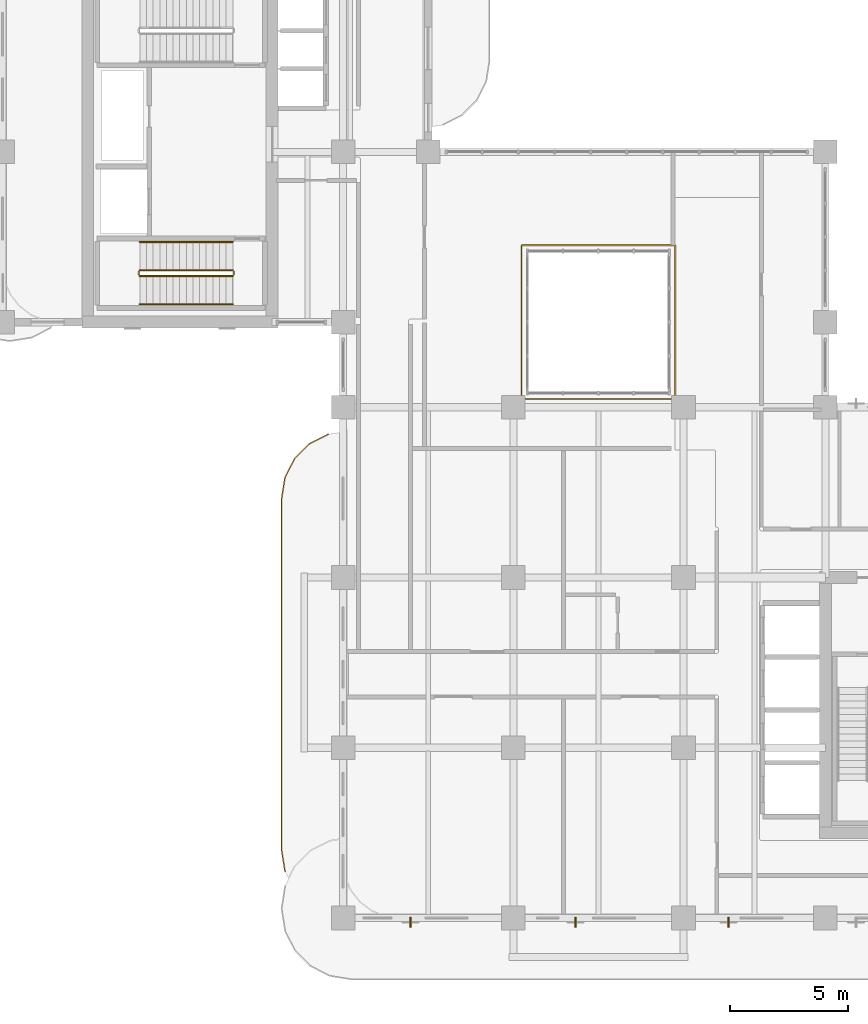
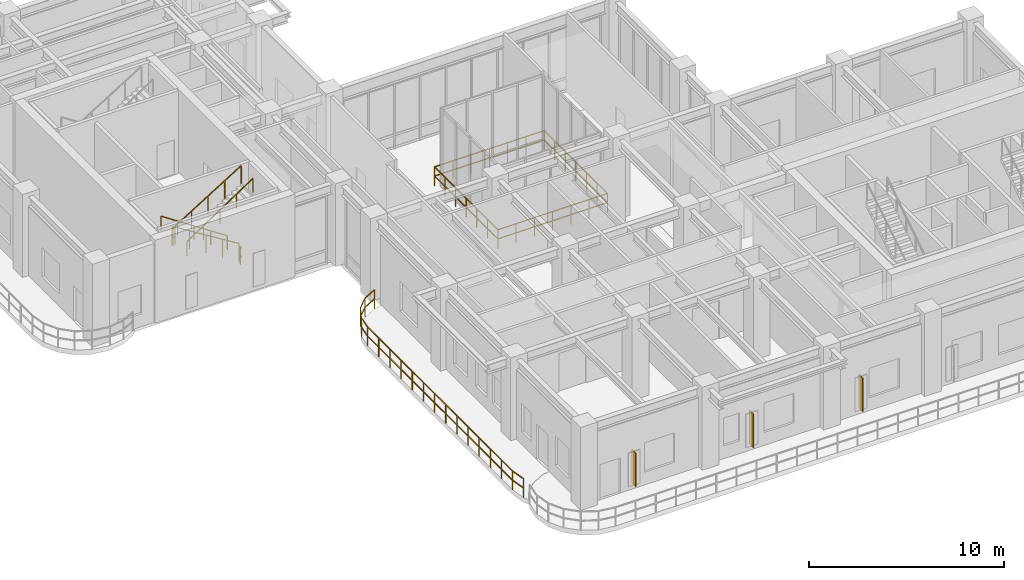
# One storey, part 17 of 21: 8 railings, 3 shading devices.
"""IFC4 building model written with IfcOpenShell, lengths in metres."""

from ifc_helpers import new_model, si_unit, derived_unit, direction, frame, origin, origin_2d, place, context, subcontext, project, spatial, rectangle, extrude, source, transform, mapped, material, layer, layer_set, type_object, type_shapes, element, save


model = new_model("IFC4")

# Units and contexts
model_context = context("Model", 3, precision=1e-05, world=origin(), true_north=direction((0.0, 1.0)))
body_context = subcontext(model_context, "Body", "Model", "MODEL_VIEW")
ifc_project = project(units=[si_unit("LENGTHUNIT", "METRE"), si_unit("AREAUNIT", "SQUARE_METRE"), si_unit("VOLUMEUNIT", "CUBIC_METRE"), si_unit("PLANEANGLEUNIT", "RADIAN"), si_unit("MASSUNIT", "GRAM", prefix="KILO"), si_unit("THERMODYNAMICTEMPERATUREUNIT", "KELVIN"), si_unit("POWERUNIT", "WATT"), derived_unit("THERMALTRANSMITTANCEUNIT", [(si_unit("POWERUNIT", "WATT"), 1), (si_unit("AREAUNIT", "SQUARE_METRE"), -1), (si_unit("THERMODYNAMICTEMPERATUREUNIT", "KELVIN"), -1)])], contexts=[model_context])

# Site, building, storey
site_placement = place(None, origin())
site = spatial("IfcSite", under=ifc_project, at=site_placement, CompositionType="ELEMENT")
building_placement = place(site_placement, origin())
building = spatial("IfcBuilding", under=site, at=building_placement, Name="Zahravan Archway Hotel and Residences", CompositionType="ELEMENT")
storey_placement = place(building_placement, frame((0.0, 0.0, 145.10009765625)))
storey = spatial("IfcBuildingStorey", under=building, at=storey_placement, Name="L36", CompositionType="ELEMENT", Elevation=145.10009765625)

# Railings
ifc_material_1 = material(Name="Atrium Laminated Glass Guardrail", Category="glass")
railing_type_1 = type_object("IfcRailingType", Name="RL-ATR-1200", PredefinedType="BALUSTRADE", material=ifc_material_1)
railing_1_placement = place(storey_placement, frame((21.949951171875, 21.949951171875, 0.0)))
element("IfcRailing", 1, at=railing_1_placement, inside=storey, type_object=railing_type_1, Name="L36 Balustrade RL-ATR-L36", PredefinedType="BALUSTRADE", context=body_context, shape_type="SweptSolid", body=[
    extrude(rectangle(XDim=0.048095703125, YDim=0.048095703125, at=origin_2d()), frame((0.0, 0.0, 1.17578125), z_axis=(1.0, 0.0, 0.0), x_axis=(0.0, 1.0, 0.0)), (0.0, 0.0, 1.0), 6.5),
    extrude(rectangle(XDim=0.048095703125, YDim=0.048095703125, at=origin_2d()), frame((0.0, 0.0, 0.60009765625), z_axis=(1.0, 0.0, 0.0), x_axis=(0.0, 1.0, 0.0)), (0.0, 0.0, 1.0), 6.5),
    extrude(rectangle(XDim=0.048095703125, YDim=0.048095703125, at=origin_2d()), frame((6.5, 0.0, 1.17578125), z_axis=(0.0, 1.0, 0.0), x_axis=(-1.0, 0.0, 0.0)), (0.0, 0.0, 1.0), 6.5),
    extrude(rectangle(XDim=0.048095703125, YDim=0.048095703125, at=origin_2d()), frame((6.5, 0.0, 0.60009765625), z_axis=(0.0, 1.0, 0.0), x_axis=(-1.0, 0.0, 0.0)), (0.0, 0.0, 1.0), 6.5),
    extrude(rectangle(XDim=0.048095703125, YDim=0.048095703125, at=origin_2d()), frame((6.5, 6.5, 1.17578125), z_axis=(-1.0, 0.0, 0.0), x_axis=(0.0, -1.0, 0.0)), (0.0, 0.0, 1.0), 6.5),
    extrude(rectangle(XDim=0.048095703125, YDim=0.048095703125, at=origin_2d()), frame((6.5, 6.5, 0.60009765625), z_axis=(-1.0, 0.0, 0.0), x_axis=(0.0, -1.0, 0.0)), (0.0, 0.0, 1.0), 6.5),
    extrude(rectangle(XDim=0.048095703125, YDim=0.048095703125, at=origin_2d()), frame((0.0, 6.5, 1.17578125), z_axis=(0.0, -1.0, 0.0), x_axis=(1.0, 0.0, 0.0)), (0.0, 0.0, 1.0), 6.5),
    extrude(rectangle(XDim=0.048095703125, YDim=0.048095703125, at=origin_2d()), frame((0.0, 6.5, 0.60009765625), z_axis=(0.0, -1.0, 0.0), x_axis=(1.0, 0.0, 0.0)), (0.0, 0.0, 1.0), 6.5),
    extrude(rectangle(XDim=0.0419921875, YDim=0.0419921875, at=origin_2d()), origin(), (0.0, 0.0, 1.0), 1.15185546875),
    extrude(rectangle(XDim=0.0419921875, YDim=0.0419921875, at=origin_2d()), frame((1.083251953125, 0.0, 0.0)), (0.0, 0.0, 1.0), 1.15185546875),
    extrude(rectangle(XDim=0.0419921875, YDim=0.0419921875, at=origin_2d()), frame((2.166748046875, 0.0, 0.0)), (0.0, 0.0, 1.0), 1.15185546875),
    extrude(rectangle(XDim=0.0419921875, YDim=0.0419921875, at=origin_2d()), frame((3.25, 0.0, 0.0)), (0.0, 0.0, 1.0), 1.15185546875),
    extrude(rectangle(XDim=0.0419921875, YDim=0.0419921875, at=origin_2d()), frame((4.333251953125, 0.0, 0.0)), (0.0, 0.0, 1.0), 1.15185546875),
    extrude(rectangle(XDim=0.0419921875, YDim=0.0419921875, at=origin_2d()), frame((5.416748046875, 0.0, 0.0)), (0.0, 0.0, 1.0), 1.15185546875),
    extrude(rectangle(XDim=0.0419921875, YDim=0.0419921875, at=origin_2d()), frame((6.5, 0.0, 0.0)), (0.0, 0.0, 1.0), 1.15185546875),
    extrude(rectangle(XDim=0.0419921875, YDim=0.0419921875, at=origin_2d()), frame((6.5, 1.083251953125, 0.0)), (0.0, 0.0, 1.0), 1.15185546875),
    extrude(rectangle(XDim=0.0419921875, YDim=0.0419921875, at=origin_2d()), frame((6.5, 2.166748046875, 0.0)), (0.0, 0.0, 1.0), 1.15185546875),
    extrude(rectangle(XDim=0.0419921875, YDim=0.0419921875, at=origin_2d()), frame((6.5, 3.25, 0.0)), (0.0, 0.0, 1.0), 1.15185546875),
    extrude(rectangle(XDim=0.0419921875, YDim=0.0419921875, at=origin_2d()), frame((6.5, 4.333251953125, 0.0)), (0.0, 0.0, 1.0), 1.15185546875),
    extrude(rectangle(XDim=0.0419921875, YDim=0.0419921875, at=origin_2d()), frame((6.5, 5.416748046875, 0.0)), (0.0, 0.0, 1.0), 1.15185546875),
    extrude(rectangle(XDim=0.0419921875, YDim=0.0419921875, at=origin_2d()), frame((6.5, 6.5, 0.0)), (0.0, 0.0, 1.0), 1.15185546875),
    extrude(rectangle(XDim=0.0419921875, YDim=0.0419921875, at=origin_2d()), frame((5.416748046875, 6.5, 0.0)), (0.0, 0.0, 1.0), 1.15185546875),
    extrude(rectangle(XDim=0.0419921875, YDim=0.0419921875, at=origin_2d()), frame((4.333251953125, 6.5, 0.0)), (0.0, 0.0, 1.0), 1.15185546875),
    extrude(rectangle(XDim=0.0419921875, YDim=0.0419921875, at=origin_2d()), frame((3.25, 6.5, 0.0)), (0.0, 0.0, 1.0), 1.15185546875),
    extrude(rectangle(XDim=0.0419921875, YDim=0.0419921875, at=origin_2d()), frame((2.166748046875, 6.5, 0.0)), (0.0, 0.0, 1.0), 1.15185546875),
    extrude(rectangle(XDim=0.0419921875, YDim=0.0419921875, at=origin_2d()), frame((1.083251953125, 6.5, 0.0)), (0.0, 0.0, 1.0), 1.15185546875),
    extrude(rectangle(XDim=0.0419921875, YDim=0.0419921875, at=origin_2d()), frame((0.0, 6.5, 0.0)), (0.0, 0.0, 1.0), 1.15185546875),
    extrude(rectangle(XDim=0.0419921875, YDim=0.0419921875, at=origin_2d()), frame((0.0, 5.416748046875, 0.0)), (0.0, 0.0, 1.0), 1.15185546875),
    extrude(rectangle(XDim=0.0419921875, YDim=0.0419921875, at=origin_2d()), frame((0.0, 4.333251953125, 0.0)), (0.0, 0.0, 1.0), 1.15185546875),
    extrude(rectangle(XDim=0.0419921875, YDim=0.0419921875, at=origin_2d()), frame((0.0, 3.25, 0.0)), (0.0, 0.0, 1.0), 1.15185546875),
    extrude(rectangle(XDim=0.0419921875, YDim=0.0419921875, at=origin_2d()), frame((0.0, 2.166748046875, 0.0)), (0.0, 0.0, 1.0), 1.15185546875),
    extrude(rectangle(XDim=0.0419921875, YDim=0.0419921875, at=origin_2d()), frame((0.0, 1.083251953125, 0.0)), (0.0, 0.0, 1.0), 1.15185546875),
])
ifc_material_2 = material(Name="Bronze & Laminated Glass Balustrade", Category="glass")
railing_type_2 = type_object("IfcRailingType", Name="RL-BAL-1200", PredefinedType="BALUSTRADE", material=ifc_material_2)
railing_2_placement = place(storey_placement, frame((11.939453125, 1.96923828125, 0.0)))
element("IfcRailing", 2, at=railing_2_placement, inside=storey, type_object=railing_type_2, Name="L36 Balustrade RL-SLB-BAL-L36-WA-1", PredefinedType="BALUSTRADE", context=body_context, shape_type="SweptSolid", body=[
    extrude(rectangle(XDim=0.048095703125, YDim=0.048095703125, at=origin_2d()), frame((0.0, 0.0, 1.17578125), z_axis=(-0.156314005608, 0.987707411965, 0.0), x_axis=(-0.987707411965, -0.156314005608, 0.0)), (0.0, 0.0, 1.0), 0.891845703125),
    extrude(rectangle(XDim=0.048095703125, YDim=0.048095703125, at=origin_2d()), frame((0.0, 0.0, 0.60009765625), z_axis=(-0.156314005608, 0.987707411965, 0.0), x_axis=(-0.987707411965, -0.156314005608, 0.0)), (0.0, 0.0, 1.0), 0.891845703125),
    extrude(rectangle(XDim=0.048095703125, YDim=0.048095703125, at=origin_2d()), frame((-0.139404296875, 0.880859375, 1.17578125), z_axis=(0.0, 1.0, 0.0), x_axis=(-1.0, 0.0, 0.0)), (0.0, 0.0, 1.0), 14.89990234375),
    extrude(rectangle(XDim=0.048095703125, YDim=0.048095703125, at=origin_2d()), frame((-0.139404296875, 0.880859375, 0.60009765625), z_axis=(0.0, 1.0, 0.0), x_axis=(-1.0, 0.0, 0.0)), (0.0, 0.0, 1.0), 14.89990234375),
    extrude(rectangle(XDim=0.048095703125, YDim=0.048095703125, at=origin_2d()), frame((-0.139404296875, 15.78076171875, 1.17578125), z_axis=(0.156356282588, 0.987700720307, 0.0), x_axis=(-0.987700720307, 0.156356282588, 0.0)), (0.0, 0.0, 1.0), 0.8916015625),
    extrude(rectangle(XDim=0.048095703125, YDim=0.048095703125, at=origin_2d()), frame((-0.139404296875, 15.78076171875, 0.60009765625), z_axis=(0.156356282588, 0.987700720307, 0.0), x_axis=(-0.987700720307, 0.156356282588, 0.0)), (0.0, 0.0, 1.0), 0.8916015625),
    extrude(rectangle(XDim=0.048095703125, YDim=0.048095703125, at=origin_2d()), frame((0.0, 16.661376953125, 1.17578125), z_axis=(0.45388067135, 0.891062476022, 0.0), x_axis=(-0.891062476022, 0.45388067135, 0.0)), (0.0, 0.0, 1.0), 0.891845703125),
    extrude(rectangle(XDim=0.048095703125, YDim=0.048095703125, at=origin_2d()), frame((0.0, 16.661376953125, 0.60009765625), z_axis=(0.45388067135, 0.891062476022, 0.0), x_axis=(-0.891062476022, 0.45388067135, 0.0)), (0.0, 0.0, 1.0), 0.891845703125),
    extrude(rectangle(XDim=0.048095703125, YDim=0.048095703125, at=origin_2d()), frame((0.40478515625, 17.4560546875, 1.17578125), z_axis=(0.70724367147, 0.706969864397, 0.0), x_axis=(-0.706969864397, 0.70724367147, 0.0)), (0.0, 0.0, 1.0), 0.8916015625),
    extrude(rectangle(XDim=0.048095703125, YDim=0.048095703125, at=origin_2d()), frame((0.40478515625, 17.4560546875, 0.60009765625), z_axis=(0.70724367147, 0.706969864397, 0.0), x_axis=(-0.706969864397, 0.70724367147, 0.0)), (0.0, 0.0, 1.0), 0.8916015625),
    extrude(rectangle(XDim=0.048095703125, YDim=0.048095703125, at=origin_2d()), frame((1.035400390625, 18.08642578125, 1.17578125), z_axis=(0.891006060389, 0.453991409995, 0.0), x_axis=(-0.453991409995, 0.891006060389, 0.0)), (0.0, 0.0, 1.0), 0.8916015625),
    extrude(rectangle(XDim=0.048095703125, YDim=0.048095703125, at=origin_2d()), frame((1.035400390625, 18.08642578125, 0.60009765625), z_axis=(0.891006060389, 0.453991409995, 0.0), x_axis=(-0.453991409995, 0.891006060389, 0.0)), (0.0, 0.0, 1.0), 0.8916015625),
    extrude(rectangle(XDim=0.0419921875, YDim=0.0419921875, at=origin_2d()), origin(), (0.0, 0.0, 1.0), 1.15185546875),
    extrude(rectangle(XDim=0.0419921875, YDim=0.0419921875, at=origin_2d()), frame((-0.139404296875, 0.880859375, 0.0)), (0.0, 0.0, 1.0), 1.15185546875),
    extrude(rectangle(XDim=0.0419921875, YDim=0.0419921875, at=origin_2d()), frame((-0.139404296875, 2.027099609375, 0.0)), (0.0, 0.0, 1.0), 1.15185546875),
    extrude(rectangle(XDim=0.0419921875, YDim=0.0419921875, at=origin_2d()), frame((-0.139404296875, 3.173095703125, 0.0)), (0.0, 0.0, 1.0), 1.15185546875),
    extrude(rectangle(XDim=0.0419921875, YDim=0.0419921875, at=origin_2d()), frame((-0.139404296875, 4.3193359375, 0.0)), (0.0, 0.0, 1.0), 1.15185546875),
    extrude(rectangle(XDim=0.0419921875, YDim=0.0419921875, at=origin_2d()), frame((-0.139404296875, 5.46533203125, 0.0)), (0.0, 0.0, 1.0), 1.15185546875),
    extrude(rectangle(XDim=0.0419921875, YDim=0.0419921875, at=origin_2d()), frame((-0.139404296875, 6.611572265625, 0.0)), (0.0, 0.0, 1.0), 1.15185546875),
    extrude(rectangle(XDim=0.0419921875, YDim=0.0419921875, at=origin_2d()), frame((-0.139404296875, 7.7578125, 0.0)), (0.0, 0.0, 1.0), 1.15185546875),
    extrude(rectangle(XDim=0.0419921875, YDim=0.0419921875, at=origin_2d()), frame((-0.139404296875, 8.90380859375, 0.0)), (0.0, 0.0, 1.0), 1.15185546875),
    extrude(rectangle(XDim=0.0419921875, YDim=0.0419921875, at=origin_2d()), frame((-0.139404296875, 10.050048828125, 0.0)), (0.0, 0.0, 1.0), 1.15185546875),
    extrude(rectangle(XDim=0.0419921875, YDim=0.0419921875, at=origin_2d()), frame((-0.139404296875, 11.1962890625, 0.0)), (0.0, 0.0, 1.0), 1.15185546875),
    extrude(rectangle(XDim=0.0419921875, YDim=0.0419921875, at=origin_2d()), frame((-0.139404296875, 12.34228515625, 0.0)), (0.0, 0.0, 1.0), 1.15185546875),
    extrude(rectangle(XDim=0.0419921875, YDim=0.0419921875, at=origin_2d()), frame((-0.139404296875, 13.488525390625, 0.0)), (0.0, 0.0, 1.0), 1.15185546875),
    extrude(rectangle(XDim=0.0419921875, YDim=0.0419921875, at=origin_2d()), frame((-0.139404296875, 14.634521484375, 0.0)), (0.0, 0.0, 1.0), 1.15185546875),
    extrude(rectangle(XDim=0.0419921875, YDim=0.0419921875, at=origin_2d()), frame((-0.139404296875, 15.78076171875, 0.0)), (0.0, 0.0, 1.0), 1.15185546875),
    extrude(rectangle(XDim=0.0419921875, YDim=0.0419921875, at=origin_2d()), frame((0.0, 16.661376953125, 0.0)), (0.0, 0.0, 1.0), 1.15185546875),
    extrude(rectangle(XDim=0.0419921875, YDim=0.0419921875, at=origin_2d()), frame((0.40478515625, 17.4560546875, 0.0)), (0.0, 0.0, 1.0), 1.15185546875),
    extrude(rectangle(XDim=0.0419921875, YDim=0.0419921875, at=origin_2d()), frame((1.035400390625, 18.08642578125, 0.0)), (0.0, 0.0, 1.0), 1.15185546875),
    extrude(rectangle(XDim=0.0419921875, YDim=0.0419921875, at=origin_2d()), frame((1.829833984375, 18.4912109375, 0.0)), (0.0, 0.0, 1.0), 1.15185546875),
])
ifc_material_3 = material(Name="Painted Tubular Steel", Category="steel")
railing_type_3 = type_object("IfcRailingType", Name="RL-STG-1150", PredefinedType="GUARDRAIL", material=ifc_material_3)
railing_3_placement = place(storey_placement, frame((9.72998046875, 27.389892578125, 0.17333984375)))
element("IfcRailing", 3, at=railing_3_placement, inside=storey, type_object=railing_type_3, Name="L36 ST-B1 stair guard 1", PredefinedType="GUARDRAIL", context=body_context, shape_type="SweptSolid", body=[
    extrude(rectangle(XDim=0.048095703125, YDim=0.048095703125, at=origin_2d()), frame((0.0, 0.0, 1.1259765625), z_axis=(-0.850275303828, 0.0, 0.526338206574), x_axis=(0.0, -1.0, 0.0)), (0.0, 0.0, 1.0), 4.610107421875),
    extrude(rectangle(XDim=0.0419921875, YDim=0.0419921875, at=origin_2d()), origin(), (0.0, 0.0, 1.0), 1.101806640625),
    extrude(rectangle(XDim=0.0419921875, YDim=0.0419921875, at=origin_2d()), frame((-0.97998046875, 0.0, 0.606689453125)), (0.0, 0.0, 1.0), 1.101806640625),
    extrude(rectangle(XDim=0.0419921875, YDim=0.0419921875, at=origin_2d()), frame((-1.9599609375, 0.0, 1.21337890625)), (0.0, 0.0, 1.0), 1.101806640625),
    extrude(rectangle(XDim=0.0419921875, YDim=0.0419921875, at=origin_2d()), frame((-2.93994140625, 0.0, 1.81982421875)), (0.0, 0.0, 1.0), 1.101806640625),
    extrude(rectangle(XDim=0.0419921875, YDim=0.0419921875, at=origin_2d()), frame((-3.919921875, 0.0, 2.426513671875)), (0.0, 0.0, 1.0), 1.101806640625),
])
railing_4_placement = place(storey_placement, frame((5.760009765625, 27.340087890625, 2.599853515625)))
element("IfcRailing", 4, at=railing_4_placement, inside=storey, type_object=railing_type_3, Name="L36 ST-B1 stair guard 2", PredefinedType="GUARDRAIL", context=body_context, shape_type="SweptSolid", body=[
    extrude(rectangle(XDim=0.048095703125, YDim=0.048095703125, at=origin_2d()), frame((0.0, 0.0, 1.1259765625), z_axis=(0.0, -1.0, 0.0), x_axis=(1.0, 0.0, 0.0)), (0.0, 0.0, 1.0), 0.14013671875),
    extrude(rectangle(XDim=0.048095703125, YDim=0.048095703125, at=origin_2d()), frame((0.0, 0.0, 0.574951171875), z_axis=(0.0, -1.0, 0.0), x_axis=(1.0, 0.0, 0.0)), (0.0, 0.0, 1.0), 0.14013671875),
    extrude(rectangle(XDim=0.0419921875, YDim=0.0419921875, at=origin_2d()), origin(), (0.0, 0.0, 1.0), 1.101806640625),
])
railing_5_placement = place(storey_placement, frame((5.81005859375, 27.14990234375, 2.773193359375)))
element("IfcRailing", 5, at=railing_5_placement, inside=storey, type_object=railing_type_3, Name="L36 ST-B1 stair guard 3", PredefinedType="GUARDRAIL", context=body_context, shape_type="SweptSolid", body=[
    extrude(rectangle(XDim=0.048095703125, YDim=0.048095703125, at=origin_2d()), frame((0.0, 0.0, 1.1259765625), z_axis=(0.850251603719, 0.0, 0.526376491091), x_axis=(0.0, 1.0, 0.0)), (0.0, 0.0, 1.0), 4.6103515625),
    extrude(rectangle(XDim=0.0419921875, YDim=0.0419921875, at=origin_2d()), origin(), (0.0, 0.0, 1.0), 1.101806640625),
    extrude(rectangle(XDim=0.0419921875, YDim=0.0419921875, at=origin_2d()), frame((0.97998046875, 0.0, 0.606689453125)), (0.0, 0.0, 1.0), 1.101806640625),
    extrude(rectangle(XDim=0.0419921875, YDim=0.0419921875, at=origin_2d()), frame((1.9599609375, 0.0, 1.21337890625)), (0.0, 0.0, 1.0), 1.101806640625),
    extrude(rectangle(XDim=0.0419921875, YDim=0.0419921875, at=origin_2d()), frame((2.93994140625, 0.0, 1.820068359375)), (0.0, 0.0, 1.0), 1.101806640625),
    extrude(rectangle(XDim=0.0419921875, YDim=0.0419921875, at=origin_2d()), frame((3.919921875, 0.0, 2.4267578125)), (0.0, 0.0, 1.0), 1.101806640625),
])
railing_6_placement = place(storey_placement, frame((9.780029296875, 27.340087890625, 0.0)))
element("IfcRailing", 6, at=railing_6_placement, inside=storey, type_object=railing_type_3, Name="L36 ST-B1 stair guard 4", PredefinedType="GUARDRAIL", context=body_context, shape_type="SweptSolid", body=[
    extrude(rectangle(XDim=0.048095703125, YDim=0.048095703125, at=origin_2d()), frame((0.0, 0.0, 1.1259765625), z_axis=(0.0, -1.0, 0.0), x_axis=(1.0, 0.0, 0.0)), (0.0, 0.0, 1.0), 0.14013671875),
    extrude(rectangle(XDim=0.048095703125, YDim=0.048095703125, at=origin_2d()), frame((0.0, 0.0, 0.574951171875), z_axis=(0.0, -1.0, 0.0), x_axis=(1.0, 0.0, 0.0)), (0.0, 0.0, 1.0), 0.14013671875),
    extrude(rectangle(XDim=0.0419921875, YDim=0.0419921875, at=origin_2d()), origin(), (0.0, 0.0, 1.0), 1.101806640625),
])
ifc_material_4 = material(Name="Brushed Stainless Steel", Category="steel")
railing_type_4 = type_object("IfcRailingType", Name="RL-STH-900", PredefinedType="HANDRAIL", material=ifc_material_4)
railing_7_placement = place(storey_placement, frame((9.72998046875, 28.590087890625, 0.17333984375)))
element("IfcRailing", 7, at=railing_7_placement, inside=storey, type_object=railing_type_4, Name="L36 ST-B1 stair handrail 1", PredefinedType="HANDRAIL", context=body_context, shape_type="SweptSolid", body=[
    extrude(rectangle(XDim=0.048095703125, YDim=0.048095703125, at=origin_2d()), frame((0.0, 0.0, 0.8759765625), z_axis=(-0.833365502166, 0.0, 0.552722298989), x_axis=(0.0, -1.0, 0.0)), (0.0, 0.0, 1.0), 4.70361328125),
    extrude(rectangle(XDim=0.0419921875, YDim=0.0419921875, at=origin_2d()), origin(), (0.0, 0.0, 1.0), 0.851806640625),
    extrude(rectangle(XDim=0.0419921875, YDim=0.0419921875, at=origin_2d()), frame((-0.97998046875, 0.0, 0.64990234375)), (0.0, 0.0, 1.0), 0.851806640625),
    extrude(rectangle(XDim=0.0419921875, YDim=0.0419921875, at=origin_2d()), frame((-1.9599609375, 0.0, 1.2998046875)), (0.0, 0.0, 1.0), 0.851806640625),
    extrude(rectangle(XDim=0.0419921875, YDim=0.0419921875, at=origin_2d()), frame((-2.93994140625, 0.0, 1.949951171875)), (0.0, 0.0, 1.0), 0.851806640625),
    extrude(rectangle(XDim=0.0419921875, YDim=0.0419921875, at=origin_2d()), frame((-3.919921875, 0.0, 2.599853515625)), (0.0, 0.0, 1.0), 0.851806640625),
])
railing_8_placement = place(storey_placement, frame((5.81005859375, 25.949951171875, 2.773193359375)))
element("IfcRailing", 8, at=railing_8_placement, inside=storey, type_object=railing_type_4, Name="L36 ST-B1 stair handrail 2", PredefinedType="HANDRAIL", context=body_context, shape_type="SweptSolid", body=[
    extrude(rectangle(XDim=0.048095703125, YDim=0.048095703125, at=origin_2d()), frame((0.0, 0.0, 0.8759765625), z_axis=(0.833341594215, 0.0, 0.552758344444), x_axis=(0.0, 1.0, 0.0)), (0.0, 0.0, 1.0), 4.703857421875),
    extrude(rectangle(XDim=0.0419921875, YDim=0.0419921875, at=origin_2d()), origin(), (0.0, 0.0, 1.0), 0.851806640625),
    extrude(rectangle(XDim=0.0419921875, YDim=0.0419921875, at=origin_2d()), frame((0.97998046875, 0.0, 0.64990234375)), (0.0, 0.0, 1.0), 0.851806640625),
    extrude(rectangle(XDim=0.0419921875, YDim=0.0419921875, at=origin_2d()), frame((1.9599609375, 0.0, 1.300048828125)), (0.0, 0.0, 1.0), 0.851806640625),
    extrude(rectangle(XDim=0.0419921875, YDim=0.0419921875, at=origin_2d()), frame((2.93994140625, 0.0, 1.9501953125)), (0.0, 0.0, 1.0), 0.851806640625),
    extrude(rectangle(XDim=0.0419921875, YDim=0.0419921875, at=origin_2d()), frame((3.919921875, 0.0, 2.60009765625)), (0.0, 0.0, 1.0), 0.851806640625),
])

# Shading devices
ifc_material_5 = material(Name="Terracotta & Bronze Solar Brise-Soleil", Category="masonry")
ifc_layer = layer(ifc_material_5, 0.06005859375, Name="Terracotta & Bronze Solar Brise-Soleil", Category="masonry")
ifc_layer_set = layer_set([ifc_layer], Name="Terracotta & Bronze Solar Brise-Soleil")
shading_device_type = type_object("IfcShadingDeviceType", Name="SHD-MASH-FIN", PredefinedType="JALOUSIE", material=ifc_layer_set)
shared_shape = source(origin(), body_context, "Body", "SweptSolid", [
    extrude(rectangle(XDim=0.06005859375, YDim=0.419921875, at=origin_2d()), origin(), (0.0, 0.0, 1.0), 2.10009765625),
])
type_shapes(shading_device_type, [shared_shape])
for number, where, z_axis, x_axis, name in (
    (9, (17.25, -0.177978515625, 0.249755859375), (0.0, 0.0, 1.0), (1.0, 0.0, 0.0), "L36 Solar Mashrabiya Fin 01"),
    (10, (24.22802734375, -0.177978515625, 0.249755859375), (0.0, 0.0, 1.0), (1.0, 0.0, 0.0), "L36 Solar Mashrabiya Fin 02"),
    (11, (30.7080078125, -0.177978515625, 0.249755859375), (0.0, 0.0, 1.0), (1.0, 0.0, 0.0), "L36 Solar Mashrabiya Fin 03"),
):
    element("IfcShadingDevice", number, at=place(storey_placement, frame(where, z_axis=z_axis, x_axis=x_axis)), inside=storey, type_object=shading_device_type, Name=name, PredefinedType="JALOUSIE", context=body_context, shape_type="MappedRepresentation", body=[
        mapped(shared_shape, transform((0.0, 0.0, 0.0), scale=1.0)),
    ])

save(model, "model.ifc")
